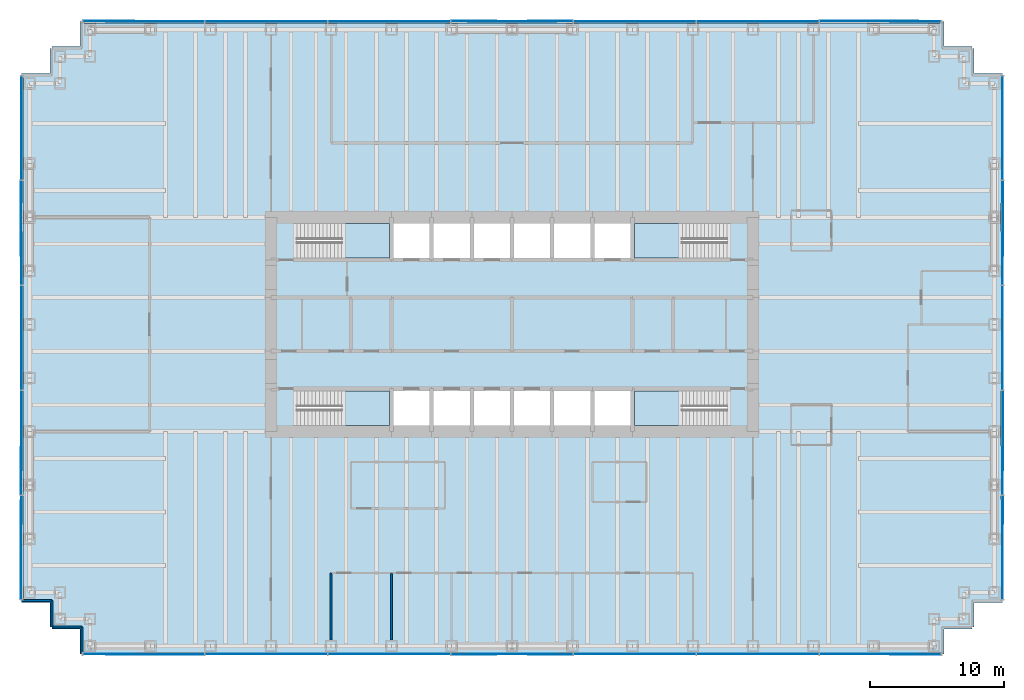
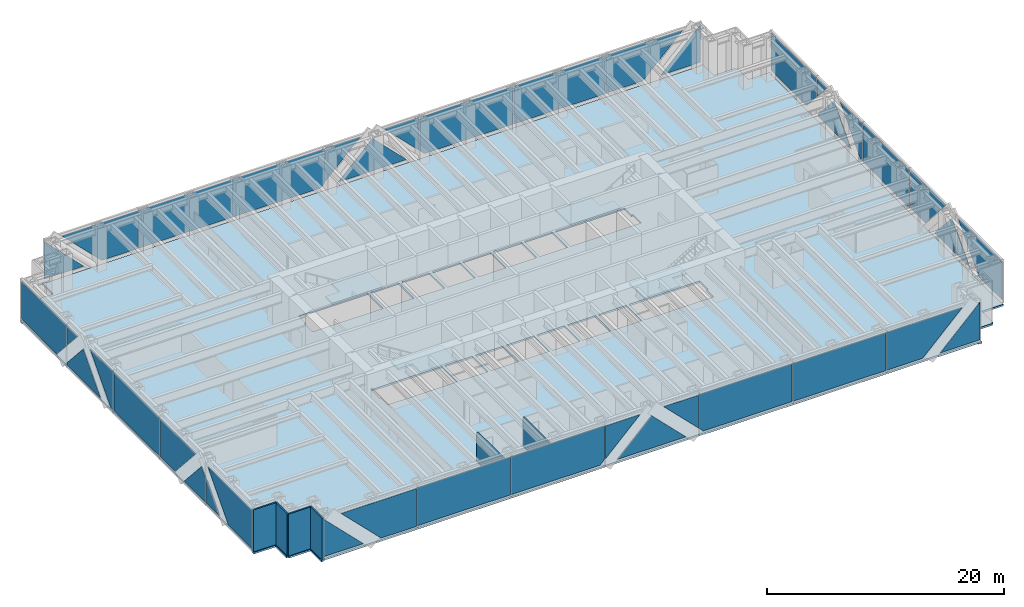
# One storey, part 8 of 13: 40 plates, 6 walls, 5 slabs, 8 elements without a shape of their own.
"""IFC4 building model written with IfcOpenShell, lengths in metres."""

from ifc_helpers import new_model, si_unit, direction, frame, frame_2d, origin, origin_2d, place, context, subcontext, project, spatial, polyline, rectangle, outline, extrude, material, layer, layer_set, type_object, element, aggregate, save


model = new_model("IFC4")

# Units and contexts
model_context = context("Model", 3, precision=1e-05, world=origin(), true_north=direction((0.0, 1.0)))
body_context = subcontext(model_context, "Body", "Model", "MODEL_VIEW")
ifc_project = project(units=[si_unit("LENGTHUNIT", "METRE"), si_unit("AREAUNIT", "SQUARE_METRE"), si_unit("VOLUMEUNIT", "CUBIC_METRE"), si_unit("PLANEANGLEUNIT", "RADIAN"), si_unit("MASSUNIT", "GRAM", prefix="KILO")], contexts=[model_context])

# Site, building, storey
site_placement = place(None, origin())
site = spatial("IfcSite", under=ifc_project, at=site_placement, CompositionType="ELEMENT")
building_placement = place(site_placement, origin())
building = spatial("IfcBuilding", under=site, at=building_placement, Name="Rheinbord Bourse Tower", CompositionType="ELEMENT")
storey_placement = place(building_placement, frame((0.0, 0.0, 27.5)))
storey = spatial("IfcBuildingStorey", under=building, at=storey_placement, Name="L05", CompositionType="ELEMENT", Elevation=27.5)

# Slab
ifc_material_1 = material(Name="Concrete C30/37", Category="concrete")
ifc_layer_1 = layer(ifc_material_1, 0.179931640625)
ifc_layer_set_1 = layer_set([ifc_layer_1], Name="COMPOSITE FLOOR SLAB 180")
slab_type_1 = type_object("IfcSlabType", Name="COMPOSITE FLOOR SLAB 180", PredefinedType="FLOOR", material=ifc_layer_set_1)
slab_1_placement = place(storey_placement, frame((0.0, 0.0, -0.179931640625)))
element("IfcSlab", 1, at=slab_1_placement, inside=storey, type_object=slab_type_1, Name="Floor slab L05", PredefinedType="FLOOR", context=body_context, shape_type="SweptSolid", body=[
    extrude(outline(polyline([(1.64990234375, 1.39990234375), (1.5, 1.39990234375), (1.5, 3.25), (-0.60009765625, 3.25), (-0.60009765625, 3.550048828125), (-0.5, 3.550048828125), (-0.5, 42.449951171875), (-0.60009765625, 42.449951171875), (-0.60009765625, 42.75), (1.5, 42.75), (1.5, 44.60009765625), (1.64990234375, 44.60009765625), (1.64990234375, 44.75), (3.75, 44.75), (3.75, 46.60009765625), (4.050048828125, 46.60009765625), (4.050048828125, 46.5), (67.949951171875, 46.5), (67.949951171875, 46.60009765625), (68.25, 46.60009765625), (68.25, 44.75), (70.35009765625, 44.75), (70.35009765625, 44.60009765625), (70.5, 44.60009765625), (70.5, 42.75), (72.60009765625, 42.75), (72.60009765625, 42.449951171875), (72.5, 42.449951171875), (72.5, 3.550048828125), (72.60009765625, 3.550048828125), (72.60009765625, 3.25), (70.5, 3.25), (70.5, 1.39990234375), (70.35009765625, 1.39990234375), (70.35009765625, 1.25), (68.25, 1.25), (68.25, -0.60009765625), (67.949951171875, -0.60009765625), (67.949951171875, -0.5), (4.050048828125, -0.5), (4.050048828125, -0.60009765625), (3.75, -0.60009765625), (3.75, 1.25), (1.64990234375, 1.25), (1.64990234375, 1.39990234375)]), holes=[polyline([(19.949951171875, 19.050048828125), (26.85009765625, 19.050048828125), (26.85009765625, 16.449951171875), (20.10009765625, 16.449951171875), (20.10009765625, 17.64990234375), (19.949951171875, 17.64990234375), (19.949951171875, 19.050048828125)]), polyline([(26.85009765625, 31.550048828125), (26.85009765625, 28.949951171875), (19.949951171875, 28.949951171875), (19.949951171875, 30.35009765625), (20.10009765625, 30.35009765625), (20.10009765625, 31.550048828125), (26.85009765625, 31.550048828125)]), polyline([(45.14990234375, 16.449951171875), (45.14990234375, 19.050048828125), (52.050048828125, 19.050048828125), (52.050048828125, 17.64990234375), (51.89990234375, 17.64990234375), (51.89990234375, 16.449951171875), (45.14990234375, 16.449951171875)]), polyline([(52.050048828125, 28.949951171875), (45.14990234375, 28.949951171875), (45.14990234375, 31.550048828125), (51.89990234375, 31.550048828125), (51.89990234375, 30.35009765625), (52.050048828125, 30.35009765625), (52.050048828125, 28.949951171875)]), polyline([(27.14990234375, 16.449951171875), (27.14990234375, 19.050048828125), (29.85009765625, 19.050048828125), (29.85009765625, 16.449951171875), (27.14990234375, 16.449951171875)]), polyline([(27.14990234375, 28.949951171875), (27.14990234375, 31.550048828125), (29.85009765625, 31.550048828125), (29.85009765625, 28.949951171875), (27.14990234375, 28.949951171875)]), polyline([(30.14990234375, 16.449951171875), (30.14990234375, 19.050048828125), (32.85009765625, 19.050048828125), (32.85009765625, 16.449951171875), (30.14990234375, 16.449951171875)]), polyline([(30.14990234375, 28.949951171875), (30.14990234375, 31.550048828125), (32.85009765625, 31.550048828125), (32.85009765625, 28.949951171875), (30.14990234375, 28.949951171875)]), polyline([(33.14990234375, 16.449951171875), (33.14990234375, 19.050048828125), (35.85009765625, 19.050048828125), (35.85009765625, 16.449951171875), (33.14990234375, 16.449951171875)]), polyline([(33.14990234375, 28.949951171875), (33.14990234375, 31.550048828125), (35.85009765625, 31.550048828125), (35.85009765625, 28.949951171875), (33.14990234375, 28.949951171875)]), polyline([(36.14990234375, 16.449951171875), (36.14990234375, 19.050048828125), (38.85009765625, 19.050048828125), (38.85009765625, 16.449951171875), (36.14990234375, 16.449951171875)]), polyline([(36.14990234375, 28.949951171875), (36.14990234375, 31.550048828125), (38.85009765625, 31.550048828125), (38.85009765625, 28.949951171875), (36.14990234375, 28.949951171875)]), polyline([(39.14990234375, 16.449951171875), (39.14990234375, 19.050048828125), (41.85009765625, 19.050048828125), (41.85009765625, 16.449951171875), (39.14990234375, 16.449951171875)]), polyline([(39.14990234375, 28.949951171875), (39.14990234375, 31.550048828125), (41.85009765625, 31.550048828125), (41.85009765625, 28.949951171875), (39.14990234375, 28.949951171875)]), polyline([(42.14990234375, 16.449951171875), (42.14990234375, 19.050048828125), (44.85009765625, 19.050048828125), (44.85009765625, 16.449951171875), (42.14990234375, 16.449951171875)]), polyline([(42.14990234375, 28.949951171875), (42.14990234375, 31.550048828125), (44.85009765625, 31.550048828125), (44.85009765625, 28.949951171875), (42.14990234375, 28.949951171875)])]), origin(), (0.0, 0.0, 1.0), 0.179931640625),
])

# Curtain wall, plates
ifc_material_2 = material(Name="Dark glass and black aluminium", Category="aluminium")
curtain_wall_type = type_object("IfcCurtainWallType", Name="CW1 DARK GLASS CURTAIN WALL", PredefinedType="USERDEFINED", material=ifc_material_2)
curtain_wall_1_placement = place(storey_placement, origin())
curtain_wall_1 = element("IfcCurtainWall", 2, at=curtain_wall_1_placement, inside=storey, type_object=curtain_wall_type, Name="Curtain wall CW1 S L05", ObjectType="UNITISED CURTAIN WALL", PredefinedType="USERDEFINED")
ifc_material_3 = material(Name="Dark tinted triple insulating glass", Category="glass")
ifc_layer_2 = layer(ifc_material_3, 0.0439453125)
ifc_layer_set_2 = layer_set([ifc_layer_2], Name="CW1 DARK GLASS PANEL")
plate_type = type_object("IfcPlateType", Name="CW1 DARK GLASS PANEL", PredefinedType="CURTAIN_PANEL", material=ifc_layer_set_2)
plate_1_placement = place(storey_placement, frame((17.6572265625, -0.60009765625, 0.300048828125), z_axis=(0.0, 0.0, 1.0), x_axis=(1.0, 0.0, 0.0)))
plate_1 = element("IfcPlate", 3, at=plate_1_placement, type_object=plate_type, Name="CW1 panel 2.1", PredefinedType="CURTAIN_PANEL", context=body_context, shape_type="SweptSolid", body=[
    extrude(rectangle(XDim=9.09130859375, YDim=0.0439453125, at=origin_2d()), origin(), (0.0, 0.0, 1.0), 3.89990234375),
])
plate_2_placement = place(storey_placement, frame((54.3427734375, -0.60009765625, 0.300048828125), z_axis=(0.0, 0.0, 1.0), x_axis=(1.0, 0.0, 0.0)))
plate_2 = element("IfcPlate", 4, at=plate_2_placement, type_object=plate_type, Name="CW1 panel 6.1", PredefinedType="CURTAIN_PANEL", context=body_context, shape_type="SweptSolid", body=[
    extrude(rectangle(XDim=9.09130859375, YDim=0.0439453125, at=origin_2d()), origin(), (0.0, 0.0, 1.0), 3.89990234375),
])
plate_3_placement = place(storey_placement, frame((3.97998046875, -0.6220703125, 0.300048828125), z_axis=(0.0, 1.0, 0.0), x_axis=(0.0, 0.0, 1.0)))
plate_3 = element("IfcPlate", 5, at=plate_3_placement, type_object=plate_type, Name="CW1 glass facet 1", PredefinedType="CURTAIN_PANEL", context=body_context, shape_type="SweptSolid", body=[
    extrude(outline(polyline([(0.0, 0.0), (3.864013671875, 0.0), (0.0, 3.864013671875), (0.0, 0.0)])), origin(), (0.0, 0.0, 1.0), 0.0439453125),
])
plate_4_placement = place(storey_placement, frame((13.031005859375, -0.6708984375, 4.199951171875), z_axis=(0.0, 1.0, 0.0), x_axis=(0.0, 0.0, -1.0)))
plate_4 = element("IfcPlate", 6, at=plate_4_placement, type_object=plate_type, Name="CW1 glass facet 2", PredefinedType="CURTAIN_PANEL", context=body_context, shape_type="SweptSolid", body=[
    extrude(outline(polyline([(0.0, 0.0), (3.89990234375, 0.0), (3.89990234375, 3.47509765625), (0.0, 7.375), (0.0, 0.0)])), origin(), (0.0, 0.0, 1.0), 0.0439453125),
])
plate_5_placement = place(storey_placement, frame((22.282958984375, -0.6220703125, 0.300048828125), z_axis=(0.0, 1.0, 0.0), x_axis=(0.0, 0.0, 1.0)))
plate_5 = element("IfcPlate", 7, at=plate_5_placement, type_object=plate_type, Name="CW1 glass facet 1", PredefinedType="CURTAIN_PANEL", context=body_context, shape_type="SweptSolid", body=[
    extrude(outline(polyline([(0.0, 0.0), (3.89990234375, 0.0), (3.89990234375, 9.091064453125), (0.429931640625, 9.091064453125), (0.0, 8.6611328125), (0.0, 0.0)])), origin(), (0.0, 0.0, 1.0), 0.0439453125),
])
plate_6_placement = place(storey_placement, frame((31.4541015625, -0.6708984375, 4.199951171875), z_axis=(0.0, 1.0, 0.0), x_axis=(1.0, 0.0, 0.0)))
plate_6 = element("IfcPlate", 8, at=plate_6_placement, type_object=plate_type, Name="CW1 glass facet 1", PredefinedType="CURTAIN_PANEL", context=body_context, shape_type="SweptSolid", body=[
    extrude(outline(polyline([(0.0, 0.0), (3.389892578125, 0.0), (0.0, 3.389892578125), (0.0, 0.0)])), origin(), (0.0, 0.0, 1.0), 0.0439453125),
])
plate_7_placement = place(storey_placement, frame((32.656005859375, -0.6220703125, 0.300048828125), z_axis=(0.0, 1.0, 0.0), x_axis=(0.707106781187, 0.0, 0.707106781187)))
plate_7 = element("IfcPlate", 9, at=plate_7_placement, type_object=plate_type, Name="CW1 glass facet 2", PredefinedType="CURTAIN_PANEL", context=body_context, shape_type="SweptSolid", body=[
    extrude(outline(polyline([(0.0, 0.0), (4.72900390625, 0.0), (4.72900390625, 4.72900390625), (0.0, 0.0)])), origin(), (0.0, 0.0, 1.0), 0.0439453125),
])
plate_8_placement = place(storey_placement, frame((40.5458984375, -0.6708984375, 4.199951171875), z_axis=(0.0, 1.0, 0.0), x_axis=(0.0, 0.0, -1.0)))
plate_8 = element("IfcPlate", 10, at=plate_8_placement, type_object=plate_type, Name="CW1 glass facet 3", PredefinedType="CURTAIN_PANEL", context=body_context, shape_type="SweptSolid", body=[
    extrude(outline(polyline([(0.0, 0.0), (3.389892578125, 0.0), (0.0, 3.389892578125), (0.0, 0.0)])), origin(), (0.0, 0.0, 1.0), 0.0439453125),
])
plate_9_placement = place(storey_placement, frame((40.6259765625, -0.6220703125, 4.199951171875), z_axis=(0.0, 1.0, 0.0), x_axis=(1.0, 0.0, 0.0)))
plate_9 = element("IfcPlate", 11, at=plate_9_placement, type_object=plate_type, Name="CW1 glass facet 1", PredefinedType="CURTAIN_PANEL", context=body_context, shape_type="SweptSolid", body=[
    extrude(outline(polyline([(0.0, 0.0), (9.091064453125, 0.0), (9.091064453125, 3.89990234375), (0.429931640625, 3.89990234375), (0.0, 3.469970703125), (0.0, 0.0)])), origin(), (0.0, 0.0, 1.0), 0.0439453125),
])
plate_10_placement = place(storey_placement, frame((58.968994140625, -0.6220703125, 0.300048828125), z_axis=(0.0, 1.0, 0.0), x_axis=(0.0, 0.0, 1.0)))
plate_10 = element("IfcPlate", 12, at=plate_10_placement, type_object=plate_type, Name="CW1 glass facet 1", PredefinedType="CURTAIN_PANEL", context=body_context, shape_type="SweptSolid", body=[
    extrude(outline(polyline([(0.0, 0.0), (3.89990234375, 0.0), (3.89990234375, 7.375), (0.0, 3.47509765625), (0.0, 0.0)])), origin(), (0.0, 0.0, 1.0), 0.0439453125),
])
plate_11_placement = place(storey_placement, frame((68.02001953125, -0.6708984375, 0.300048828125), z_axis=(0.0, 1.0, 0.0), x_axis=(-1.0, 0.0, 0.0)))
plate_11 = element("IfcPlate", 13, at=plate_11_placement, type_object=plate_type, Name="CW1 glass facet 2", PredefinedType="CURTAIN_PANEL", context=body_context, shape_type="SweptSolid", body=[
    extrude(outline(polyline([(0.0, 0.0), (3.864013671875, 0.0), (0.0, 3.864013671875), (0.0, 0.0)])), origin(), (0.0, 0.0, 1.0), 0.0439453125),
])
aggregate(curtain_wall_1, [plate_1, plate_2, plate_3, plate_4, plate_5, plate_6, plate_7, plate_8, plate_9, plate_10, plate_11])

curtain_wall_2_placement = place(storey_placement, origin())
curtain_wall_2 = element("IfcCurtainWall", 14, at=curtain_wall_2_placement, inside=storey, type_object=curtain_wall_type, Name="Curtain wall CW1 E L05", ObjectType="UNITISED CURTAIN WALL", PredefinedType="USERDEFINED")
plate_12_placement = place(storey_placement, frame((72.60009765625, 23.0, 0.300048828125), z_axis=(0.0, 0.0, 1.0), x_axis=(0.0, 1.0, 0.0)))
plate_12 = element("IfcPlate", 15, at=plate_12_placement, type_object=plate_type, Name="CW1 panel 3.1", PredefinedType="CURTAIN_PANEL", context=body_context, shape_type="SweptSolid", body=[
    extrude(rectangle(XDim=7.760009765625, YDim=0.0439453125, at=origin_2d()), origin(), (0.0, 0.0, 1.0), 3.89990234375),
])
plate_13_placement = place(storey_placement, frame((72.6220703125, 3.47998046875, 0.300048828125), z_axis=(-1.0, 0.0, 0.0), x_axis=(0.0, 0.0, 1.0)))
plate_13 = element("IfcPlate", 16, at=plate_13_placement, type_object=plate_type, Name="CW1 glass facet 1", PredefinedType="CURTAIN_PANEL", context=body_context, shape_type="SweptSolid", body=[
    extrude(outline(polyline([(0.0, 0.0), (3.89990234375, 0.0), (3.89990234375, 7.444091796875), (0.0, 3.97705078125), (0.0, 0.0)])), origin(), (0.0, 0.0, 1.0), 0.0439453125),
])
plate_14_placement = place(storey_placement, frame((72.6708984375, 11.199951171875, 0.300048828125), z_axis=(-1.0, 0.0, 0.0), x_axis=(0.0, -1.0, 0.0)))
plate_14 = element("IfcPlate", 17, at=plate_14_placement, type_object=plate_type, Name="CW1 glass facet 2", PredefinedType="CURTAIN_PANEL", context=body_context, shape_type="SweptSolid", body=[
    extrude(outline(polyline([(0.0, 0.0), (2.1240234375, 0.0), (0.0, 2.388916015625), (0.0, 0.0)])), origin(), (0.0, 0.0, 1.0), 0.0439453125),
])
plate_15_placement = place(storey_placement, frame((72.6220703125, 11.280029296875, 0.300048828125), z_axis=(-1.0, 0.0, 0.0), x_axis=(0.0, 0.0, 1.0)))
plate_15 = element("IfcPlate", 18, at=plate_15_placement, type_object=plate_type, Name="CW1 glass facet 1", PredefinedType="CURTAIN_PANEL", context=body_context, shape_type="SweptSolid", body=[
    extrude(outline(polyline([(0.0, 0.0), (2.47900390625, 0.0), (3.2890625, 0.719970703125), (0.0, 3.64404296875), (0.0, 0.0)])), origin(), (0.0, 0.0, 1.0), 0.0439453125),
])
plate_16_placement = place(storey_placement, frame((72.6708984375, 19.0400390625, 4.199951171875), z_axis=(-1.0, 0.0, 0.0), x_axis=(0.0, 0.0, -1.0)))
plate_16 = element("IfcPlate", 19, at=plate_16_placement, type_object=plate_type, Name="CW1 glass facet 2", PredefinedType="CURTAIN_PANEL", context=body_context, shape_type="SweptSolid", body=[
    extrude(outline(polyline([(0.0, 0.0), (3.89990234375, 0.0), (3.89990234375, 2.4970703125), (0.0, 5.964111328125), (0.0, 0.0)])), origin(), (0.0, 0.0, 1.0), 0.0439453125),
])
plate_17_placement = place(storey_placement, frame((72.6220703125, 26.9599609375, 0.300048828125), z_axis=(-1.0, 0.0, 0.0), x_axis=(0.0, 0.0, 1.0)))
plate_17 = element("IfcPlate", 20, at=plate_17_placement, type_object=plate_type, Name="CW1 glass facet 1", PredefinedType="CURTAIN_PANEL", context=body_context, shape_type="SweptSolid", body=[
    extrude(outline(polyline([(0.0, 0.0), (3.89990234375, 0.0), (3.89990234375, 3.964111328125), (0.0, 0.4970703125), (0.0, 0.0)])), origin(), (0.0, 0.0, 1.0), 0.0439453125),
])
plate_18_placement = place(storey_placement, frame((72.6708984375, 34.719970703125, 0.300048828125), z_axis=(-1.0, 0.0, 0.0), x_axis=(0.0, -1.0, 0.0)))
plate_18 = element("IfcPlate", 21, at=plate_18_placement, type_object=plate_type, Name="CW1 glass facet 2", PredefinedType="CURTAIN_PANEL", context=body_context, shape_type="SweptSolid", body=[
    extrude(outline(polyline([(0.0, 0.0), (5.64404296875, 0.0), (2.719970703125, 3.2890625), (0.0, 0.22900390625), (0.0, 0.0)])), origin(), (0.0, 0.0, 1.0), 0.0439453125),
])
plate_19_placement = place(storey_placement, frame((72.6220703125, 34.719970703125, 4.199951171875), z_axis=(-1.0, 0.0, 0.0), x_axis=(0.0, 0.0, -1.0)))
plate_19 = element("IfcPlate", 22, at=plate_19_placement, type_object=plate_type, Name="CW1 glass facet 3", PredefinedType="CURTAIN_PANEL", context=body_context, shape_type="SweptSolid", body=[
    extrude(outline(polyline([(0.0, 0.0), (1.848876953125, 0.0), (0.0, 1.64404296875), (0.0, 0.0)])), origin(), (0.0, 0.0, 1.0), 0.0439453125),
])
plate_20_placement = place(storey_placement, frame((72.6220703125, 34.800048828125, 4.199951171875), z_axis=(-1.0, 0.0, 0.0), x_axis=(0.0, 1.0, 0.0)))
plate_20 = element("IfcPlate", 23, at=plate_20_placement, type_object=plate_type, Name="CW1 glass facet 1", PredefinedType="CURTAIN_PANEL", context=body_context, shape_type="SweptSolid", body=[
    extrude(outline(polyline([(0.0, 0.0), (7.719970703125, 0.0), (7.719970703125, 3.89990234375), (1.742919921875, 3.89990234375), (0.0, 1.93896484375), (0.0, 0.0)])), origin(), (0.0, 0.0, 1.0), 0.0439453125),
])
aggregate(curtain_wall_2, [plate_12, plate_13, plate_14, plate_15, plate_16, plate_17, plate_18, plate_19, plate_20])

curtain_wall_3_placement = place(storey_placement, origin())
curtain_wall_3 = element("IfcCurtainWall", 24, at=curtain_wall_3_placement, inside=storey, type_object=curtain_wall_type, Name="Curtain wall CW1 N L05", ObjectType="UNITISED CURTAIN WALL", PredefinedType="USERDEFINED")
plate_21_placement = place(storey_placement, frame((54.3427734375, 46.60009765625, 0.300048828125), z_axis=(0.0, 0.0, 1.0), x_axis=(-1.0, 0.0, 0.0)))
plate_21 = element("IfcPlate", 25, at=plate_21_placement, type_object=plate_type, Name="CW1 panel 2.1", PredefinedType="CURTAIN_PANEL", context=body_context, shape_type="SweptSolid", body=[
    extrude(rectangle(XDim=9.09130859375, YDim=0.0439453125, at=origin_2d()), origin(), (0.0, 0.0, 1.0), 3.89990234375),
])
plate_22_placement = place(storey_placement, frame((17.6572265625, 46.60009765625, 0.300048828125), z_axis=(0.0, 0.0, 1.0), x_axis=(-1.0, 0.0, 0.0)))
plate_22 = element("IfcPlate", 26, at=plate_22_placement, type_object=plate_type, Name="CW1 panel 6.1", PredefinedType="CURTAIN_PANEL", context=body_context, shape_type="SweptSolid", body=[
    extrude(rectangle(XDim=9.09130859375, YDim=0.0439453125, at=origin_2d()), origin(), (0.0, 0.0, 1.0), 3.89990234375),
])
plate_23_placement = place(storey_placement, frame((68.02001953125, 46.6220703125, 0.300048828125), z_axis=(0.0, -1.0, 0.0), x_axis=(0.0, 0.0, 1.0)))
plate_23 = element("IfcPlate", 27, at=plate_23_placement, type_object=plate_type, Name="CW1 glass facet 1", PredefinedType="CURTAIN_PANEL", context=body_context, shape_type="SweptSolid", body=[
    extrude(outline(polyline([(0.0, 0.0), (3.864013671875, 0.0), (0.0, 3.864013671875), (0.0, 0.0)])), origin(), (0.0, 0.0, 1.0), 0.0439453125),
])
plate_24_placement = place(storey_placement, frame((58.968994140625, 46.6708984375, 4.199951171875), z_axis=(0.0, -1.0, 0.0), x_axis=(0.0, 0.0, -1.0)))
plate_24 = element("IfcPlate", 28, at=plate_24_placement, type_object=plate_type, Name="CW1 glass facet 2", PredefinedType="CURTAIN_PANEL", context=body_context, shape_type="SweptSolid", body=[
    extrude(outline(polyline([(0.0, 0.0), (3.89990234375, 0.0), (3.89990234375, 3.47509765625), (0.0, 7.375), (0.0, 0.0)])), origin(), (0.0, 0.0, 1.0), 0.0439453125),
])
plate_25_placement = place(storey_placement, frame((49.717041015625, 46.6220703125, 0.300048828125), z_axis=(0.0, -1.0, 0.0), x_axis=(0.0, 0.0, 1.0)))
plate_25 = element("IfcPlate", 29, at=plate_25_placement, type_object=plate_type, Name="CW1 glass facet 1", PredefinedType="CURTAIN_PANEL", context=body_context, shape_type="SweptSolid", body=[
    extrude(outline(polyline([(0.0, 0.0), (3.89990234375, 0.0), (3.89990234375, 9.091064453125), (0.429931640625, 9.091064453125), (0.0, 8.6611328125), (0.0, 0.0)])), origin(), (0.0, 0.0, 1.0), 0.0439453125),
])
plate_26_placement = place(storey_placement, frame((40.5458984375, 46.6708984375, 4.199951171875), z_axis=(0.0, -1.0, 0.0), x_axis=(-1.0, 0.0, 0.0)))
plate_26 = element("IfcPlate", 30, at=plate_26_placement, type_object=plate_type, Name="CW1 glass facet 1", PredefinedType="CURTAIN_PANEL", context=body_context, shape_type="SweptSolid", body=[
    extrude(outline(polyline([(0.0, 0.0), (3.389892578125, 0.0), (0.0, 3.389892578125), (0.0, 0.0)])), origin(), (0.0, 0.0, 1.0), 0.0439453125),
])
plate_27_placement = place(storey_placement, frame((39.343994140625, 46.6220703125, 0.300048828125), z_axis=(0.0, -1.0, 0.0), x_axis=(-0.707106781187, 0.0, 0.707106781187)))
plate_27 = element("IfcPlate", 31, at=plate_27_placement, type_object=plate_type, Name="CW1 glass facet 2", PredefinedType="CURTAIN_PANEL", context=body_context, shape_type="SweptSolid", body=[
    extrude(outline(polyline([(0.0, 0.0), (4.72900390625, 0.0), (4.72900390625, 4.72900390625), (0.0, 0.0)])), origin(), (0.0, 0.0, 1.0), 0.0439453125),
])
plate_28_placement = place(storey_placement, frame((31.4541015625, 46.6708984375, 4.199951171875), z_axis=(0.0, -1.0, 0.0), x_axis=(0.0, 0.0, -1.0)))
plate_28 = element("IfcPlate", 32, at=plate_28_placement, type_object=plate_type, Name="CW1 glass facet 3", PredefinedType="CURTAIN_PANEL", context=body_context, shape_type="SweptSolid", body=[
    extrude(outline(polyline([(0.0, 0.0), (3.389892578125, 0.0), (0.0, 3.389892578125), (0.0, 0.0)])), origin(), (0.0, 0.0, 1.0), 0.0439453125),
])
plate_29_placement = place(storey_placement, frame((31.3740234375, 46.6220703125, 4.199951171875), z_axis=(0.0, -1.0, 0.0), x_axis=(-1.0, 0.0, 0.0)))
plate_29 = element("IfcPlate", 33, at=plate_29_placement, type_object=plate_type, Name="CW1 glass facet 1", PredefinedType="CURTAIN_PANEL", context=body_context, shape_type="SweptSolid", body=[
    extrude(outline(polyline([(0.0, 0.0), (9.091064453125, 0.0), (9.091064453125, 3.89990234375), (0.429931640625, 3.89990234375), (0.0, 3.469970703125), (0.0, 0.0)])), origin(), (0.0, 0.0, 1.0), 0.0439453125),
])
plate_30_placement = place(storey_placement, frame((13.031005859375, 46.6220703125, 0.300048828125), z_axis=(0.0, -1.0, 0.0), x_axis=(0.0, 0.0, 1.0)))
plate_30 = element("IfcPlate", 34, at=plate_30_placement, type_object=plate_type, Name="CW1 glass facet 1", PredefinedType="CURTAIN_PANEL", context=body_context, shape_type="SweptSolid", body=[
    extrude(outline(polyline([(0.0, 0.0), (3.89990234375, 0.0), (3.89990234375, 7.375), (0.0, 3.47509765625), (0.0, 0.0)])), origin(), (0.0, 0.0, 1.0), 0.0439453125),
])
plate_31_placement = place(storey_placement, frame((3.97998046875, 46.6708984375, 0.300048828125), z_axis=(0.0, -1.0, 0.0), x_axis=(1.0, 0.0, 0.0)))
plate_31 = element("IfcPlate", 35, at=plate_31_placement, type_object=plate_type, Name="CW1 glass facet 2", PredefinedType="CURTAIN_PANEL", context=body_context, shape_type="SweptSolid", body=[
    extrude(outline(polyline([(0.0, 0.0), (3.864013671875, 0.0), (0.0, 3.864013671875), (0.0, 0.0)])), origin(), (0.0, 0.0, 1.0), 0.0439453125),
])
aggregate(curtain_wall_3, [plate_21, plate_22, plate_23, plate_24, plate_25, plate_26, plate_27, plate_28, plate_29, plate_30, plate_31])

curtain_wall_4_placement = place(storey_placement, origin())
curtain_wall_4 = element("IfcCurtainWall", 36, at=curtain_wall_4_placement, inside=storey, type_object=curtain_wall_type, Name="Curtain wall CW1 W L05", ObjectType="UNITISED CURTAIN WALL", PredefinedType="USERDEFINED")
plate_32_placement = place(storey_placement, frame((-0.60009765625, 23.0, 0.300048828125), z_axis=(0.0, 0.0, 1.0), x_axis=(0.0, -1.0, 0.0)))
plate_32 = element("IfcPlate", 37, at=plate_32_placement, type_object=plate_type, Name="CW1 panel 3.1", PredefinedType="CURTAIN_PANEL", context=body_context, shape_type="SweptSolid", body=[
    extrude(rectangle(XDim=7.760009765625, YDim=0.0439453125, at=origin_2d()), origin(), (0.0, 0.0, 1.0), 3.89990234375),
])
plate_33_placement = place(storey_placement, frame((-0.6220703125, 42.52001953125, 0.300048828125), z_axis=(1.0, 0.0, 0.0), x_axis=(0.0, 0.0, 1.0)))
plate_33 = element("IfcPlate", 38, at=plate_33_placement, type_object=plate_type, Name="CW1 glass facet 1", PredefinedType="CURTAIN_PANEL", context=body_context, shape_type="SweptSolid", body=[
    extrude(outline(polyline([(0.0, 0.0), (3.89990234375, 0.0), (3.89990234375, 7.719970703125), (1.9609375, 7.719970703125), (0.0, 5.97705078125), (0.0, 0.0)])), origin(), (0.0, 0.0, 1.0), 0.0439453125),
])
plate_34_placement = place(storey_placement, frame((-0.6220703125, 34.719970703125, 4.199951171875), z_axis=(1.0, 0.0, 0.0), x_axis=(0.0, -1.0, 0.0)))
plate_34 = element("IfcPlate", 39, at=plate_34_placement, type_object=plate_type, Name="CW1 glass facet 1", PredefinedType="CURTAIN_PANEL", context=body_context, shape_type="SweptSolid", body=[
    extrude(outline(polyline([(0.0, 0.0), (1.64404296875, 0.0), (0.0, 1.848876953125), (0.0, 0.0)])), origin(), (0.0, 0.0, 1.0), 0.0439453125),
])
plate_35_placement = place(storey_placement, frame((-0.6708984375, 34.719970703125, 0.300048828125), z_axis=(1.0, 0.0, 0.0), x_axis=(0.0, 0.0, 1.0)))
plate_35 = element("IfcPlate", 40, at=plate_35_placement, type_object=plate_type, Name="CW1 glass facet 2", PredefinedType="CURTAIN_PANEL", context=body_context, shape_type="SweptSolid", body=[
    extrude(outline(polyline([(0.0, 0.0), (0.22900390625, 0.0), (3.2890625, 2.719970703125), (0.0, 5.64404296875), (0.0, 0.0)])), origin(), (0.0, 0.0, 1.0), 0.0439453125),
])
plate_36_placement = place(storey_placement, frame((-0.6220703125, 26.9599609375, 4.199951171875), z_axis=(1.0, 0.0, 0.0), x_axis=(0.0, 0.0, -1.0)))
plate_36 = element("IfcPlate", 41, at=plate_36_placement, type_object=plate_type, Name="CW1 glass facet 3", PredefinedType="CURTAIN_PANEL", context=body_context, shape_type="SweptSolid", body=[
    extrude(outline(polyline([(0.0, 0.0), (3.89990234375, 0.0), (3.89990234375, 0.4970703125), (0.0, 3.964111328125), (0.0, 0.0)])), origin(), (0.0, 0.0, 1.0), 0.0439453125),
])
plate_37_placement = place(storey_placement, frame((-0.6220703125, 19.0400390625, 0.300048828125), z_axis=(1.0, 0.0, 0.0), x_axis=(0.0, 0.0, 1.0)))
plate_37 = element("IfcPlate", 42, at=plate_37_placement, type_object=plate_type, Name="CW1 glass facet 1", PredefinedType="CURTAIN_PANEL", context=body_context, shape_type="SweptSolid", body=[
    extrude(outline(polyline([(0.0, 0.0), (3.89990234375, 0.0), (3.89990234375, 5.964111328125), (0.0, 2.4970703125), (0.0, 0.0)])), origin(), (0.0, 0.0, 1.0), 0.0439453125),
])
plate_38_placement = place(storey_placement, frame((-0.6708984375, 11.280029296875, 0.300048828125), z_axis=(1.0, 0.0, 0.0), x_axis=(0.0, 1.0, 0.0)))
plate_38 = element("IfcPlate", 43, at=plate_38_placement, type_object=plate_type, Name="CW1 glass facet 2", PredefinedType="CURTAIN_PANEL", context=body_context, shape_type="SweptSolid", body=[
    extrude(outline(polyline([(0.0, 0.0), (3.64404296875, 0.0), (0.719970703125, 3.2890625), (0.0, 2.47900390625), (0.0, 0.0)])), origin(), (0.0, 0.0, 1.0), 0.0439453125),
])
plate_39_placement = place(storey_placement, frame((-0.6220703125, 11.199951171875, 0.300048828125), z_axis=(1.0, 0.0, 0.0), x_axis=(0.0, 0.0, 1.0)))
plate_39 = element("IfcPlate", 44, at=plate_39_placement, type_object=plate_type, Name="CW1 glass facet 1", PredefinedType="CURTAIN_PANEL", context=body_context, shape_type="SweptSolid", body=[
    extrude(outline(polyline([(0.0, 0.0), (2.388916015625, 0.0), (0.0, 2.1240234375), (0.0, 0.0)])), origin(), (0.0, 0.0, 1.0), 0.0439453125),
])
plate_40_placement = place(storey_placement, frame((-0.6708984375, 3.47998046875, 4.199951171875), z_axis=(1.0, 0.0, 0.0), x_axis=(0.0, 0.0, -1.0)))
plate_40 = element("IfcPlate", 45, at=plate_40_placement, type_object=plate_type, Name="CW1 glass facet 2", PredefinedType="CURTAIN_PANEL", context=body_context, shape_type="SweptSolid", body=[
    extrude(outline(polyline([(0.0, 0.0), (3.89990234375, 0.0), (3.89990234375, 3.97705078125), (0.0, 7.444091796875), (0.0, 0.0)])), origin(), (0.0, 0.0, 1.0), 0.0439453125),
])
aggregate(curtain_wall_4, [plate_32, plate_33, plate_34, plate_35, plate_36, plate_37, plate_38, plate_39, plate_40])

# Stair, slab
ifc_material_4 = material(Name="Concrete C30/37", Category="concrete")
stair_type = type_object("IfcStairType", Name="CORE STAIR HALF TURN 4500", PredefinedType="HALF_TURN_STAIR", material=ifc_material_4)
stair_1_placement = place(storey_placement, origin())
stair_1 = element("IfcStair", 46, at=stair_1_placement, inside=storey, type_object=stair_type, Name="Stair ST1 L05, type CS4", PredefinedType="HALF_TURN_STAIR")
ifc_material_5 = material(Name="Concrete C30/37", Category="concrete")
ifc_layer_3 = layer(ifc_material_5, 0.199951171875)
ifc_layer_set_3 = layer_set([ifc_layer_3], Name="STAIR LANDING 200")
slab_type_2 = type_object("IfcSlabType", Name="STAIR LANDING 200", PredefinedType="LANDING", material=ifc_layer_set_3)
slab_2_placement = place(storey_placement, frame((0.0, 0.0, 2.050048828125)))
slab_2 = element("IfcSlab", 47, at=slab_2_placement, type_object=slab_type_2, Name="Half landing ST1 L05", PredefinedType="LANDING", context=body_context, shape_type="SweptSolid", body=[
    extrude(outline(polyline([(23.31005859375, 16.449951171875), (26.85009765625, 16.449951171875), (26.85009765625, 19.050048828125), (21.916015625, 19.050048828125), (21.916015625, 17.85009765625), (23.31005859375, 17.85009765625), (23.31005859375, 16.449951171875)])), origin(), (0.0, 0.0, 1.0), 0.199951171875),
])
aggregate(stair_1, [slab_2])

stair_2_placement = place(storey_placement, origin())
stair_2 = element("IfcStair", 48, at=stair_2_placement, inside=storey, type_object=stair_type, Name="Stair ST2 L05, type CS4", PredefinedType="HALF_TURN_STAIR")
slab_3_placement = place(storey_placement, frame((0.0, 0.0, 2.050048828125)))
slab_3 = element("IfcSlab", 49, at=slab_3_placement, type_object=slab_type_2, Name="Half landing ST2 L05", PredefinedType="LANDING", context=body_context, shape_type="SweptSolid", body=[
    extrude(outline(polyline([(21.916015625, 28.949951171875), (26.85009765625, 28.949951171875), (26.85009765625, 31.550048828125), (23.31005859375, 31.550048828125), (23.31005859375, 30.14990234375), (21.916015625, 30.14990234375), (21.916015625, 28.949951171875)])), origin(), (0.0, 0.0, 1.0), 0.199951171875),
])
aggregate(stair_2, [slab_3])

stair_3_placement = place(storey_placement, origin())
stair_3 = element("IfcStair", 50, at=stair_3_placement, inside=storey, type_object=stair_type, Name="Stair ST3 L05, type CS4", PredefinedType="HALF_TURN_STAIR")
slab_4_placement = place(storey_placement, frame((0.0, 0.0, 2.050048828125)))
slab_4 = element("IfcSlab", 51, at=slab_4_placement, type_object=slab_type_2, Name="Half landing ST3 L05", PredefinedType="LANDING", context=body_context, shape_type="SweptSolid", body=[
    extrude(outline(polyline([(45.14990234375, 16.449951171875), (48.68994140625, 16.449951171875), (48.68994140625, 17.85009765625), (50.083984375, 17.85009765625), (50.083984375, 19.050048828125), (45.14990234375, 19.050048828125), (45.14990234375, 16.449951171875)])), origin(), (0.0, 0.0, 1.0), 0.199951171875),
])
aggregate(stair_3, [slab_4])

stair_4_placement = place(storey_placement, origin())
stair_4 = element("IfcStair", 52, at=stair_4_placement, inside=storey, type_object=stair_type, Name="Stair ST4 L05, type CS4", PredefinedType="HALF_TURN_STAIR")
slab_5_placement = place(storey_placement, frame((0.0, 0.0, 2.050048828125)))
slab_5 = element("IfcSlab", 53, at=slab_5_placement, type_object=slab_type_2, Name="Half landing ST4 L05", PredefinedType="LANDING", context=body_context, shape_type="SweptSolid", body=[
    extrude(outline(polyline([(45.14990234375, 28.949951171875), (50.083984375, 28.949951171875), (50.083984375, 30.14990234375), (48.68994140625, 30.14990234375), (48.68994140625, 31.550048828125), (45.14990234375, 31.550048828125), (45.14990234375, 28.949951171875)])), origin(), (0.0, 0.0, 1.0), 0.199951171875),
])
aggregate(stair_4, [slab_5])

# Walls
ifc_material_6 = material(Name="Black metal rainscreen panel", Category="aluminium")
ifc_layer_4 = layer(ifc_material_6, 0.14990234375)
ifc_layer_set_4 = layer_set([ifc_layer_4], Name="CORNER PIER CLADDING 150")
wall_type_1 = type_object("IfcWallType", Name="CORNER PIER CLADDING 150", PredefinedType="ELEMENTEDWALL", material=ifc_layer_set_4)
wall_1_placement = place(storey_placement, frame((-0.60009765625, 3.39990234375, 0.0), z_axis=(0.0, 0.0, 1.0), x_axis=(1.0, 0.0, 0.0)))
element("IfcWall", 54, at=wall_1_placement, inside=storey, type_object=wall_type_1, Name="Corner pier cladding L05 17", PredefinedType="ELEMENTEDWALL", context=body_context, shape_type="SweptSolid", body=[
    extrude(rectangle(XDim=2.25, YDim=0.14990234375, at=frame_2d((1.125, 0.0))), origin(), (0.0, 0.0, 1.0), 4.320068359375),
])
wall_2_placement = place(storey_placement, frame((1.64990234375, 3.39990234375, 0.0), z_axis=(0.0, 0.0, 1.0), x_axis=(0.0, -1.0, 0.0)))
element("IfcWall", 55, at=wall_2_placement, inside=storey, type_object=wall_type_1, Name="Corner pier cladding L05 18", PredefinedType="ELEMENTEDWALL", context=body_context, shape_type="SweptSolid", body=[
    extrude(rectangle(XDim=2.0, YDim=0.14990234375, at=frame_2d((1.0, 0.0))), origin(), (0.0, 0.0, 1.0), 4.320068359375),
])
wall_3_placement = place(storey_placement, frame((1.64990234375, 1.39990234375, 0.0), z_axis=(0.0, 0.0, 1.0), x_axis=(1.0, 0.0, 0.0)))
element("IfcWall", 56, at=wall_3_placement, inside=storey, type_object=wall_type_1, Name="Corner pier cladding L05 19", PredefinedType="ELEMENTEDWALL", context=body_context, shape_type="SweptSolid", body=[
    extrude(rectangle(XDim=2.25, YDim=0.14990234375, at=frame_2d((1.125, 0.0))), origin(), (0.0, 0.0, 1.0), 4.320068359375),
])
wall_4_placement = place(storey_placement, frame((3.89990234375, 1.39990234375, 0.0), z_axis=(0.0, 0.0, 1.0), x_axis=(0.0, -1.0, 0.0)))
element("IfcWall", 57, at=wall_4_placement, inside=storey, type_object=wall_type_1, Name="Corner pier cladding L05 20", PredefinedType="ELEMENTEDWALL", context=body_context, shape_type="SweptSolid", body=[
    extrude(rectangle(XDim=2.0, YDim=0.14990234375, at=frame_2d((1.0, 0.0))), origin(), (0.0, 0.0, 1.0), 4.320068359375),
])
ifc_material_7 = material(Name="Gypsum board partition", Category="gypsum board")
ifc_layer_5 = layer(ifc_material_7, 0.14990234375)
ifc_layer_set_5 = layer_set([ifc_layer_5], Name="PARTITION 150")
wall_type_2 = type_object("IfcWallType", Name="PARTITION 150", PredefinedType="PARTITIONING", material=ifc_layer_set_5)
for number, where, z_axis, x_axis, name in (
    (58, (22.5, 0.449951171875, 0.0), (0.0, 0.0, 1.0), (0.0, 1.0, 0.0), "Partition L05-20"),
    (59, (27.0, 0.449951171875, 0.0), (0.0, 0.0, 1.0), (0.0, 1.0, 0.0), "Partition L05-23"),
):
    element("IfcWall", number, at=place(storey_placement, frame(where, z_axis=z_axis, x_axis=x_axis)), inside=storey, type_object=wall_type_2, Name=name, PredefinedType="PARTITIONING", context=body_context, shape_type="SweptSolid", body=[
        extrude(rectangle(XDim=5.0, YDim=0.14990234375, at=frame_2d((2.5, 0.0))), origin(), (0.0, 0.0, 1.0), 3.0),
    ])

save(model, "model.ifc")
